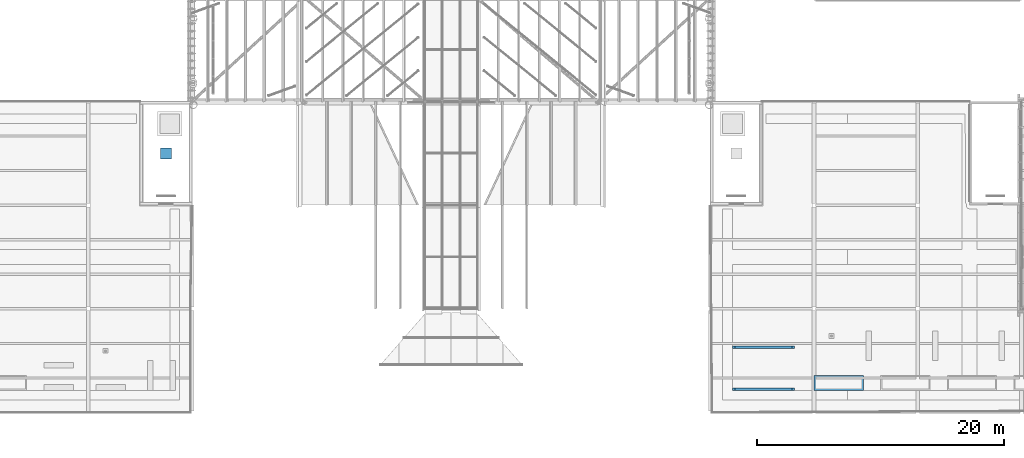
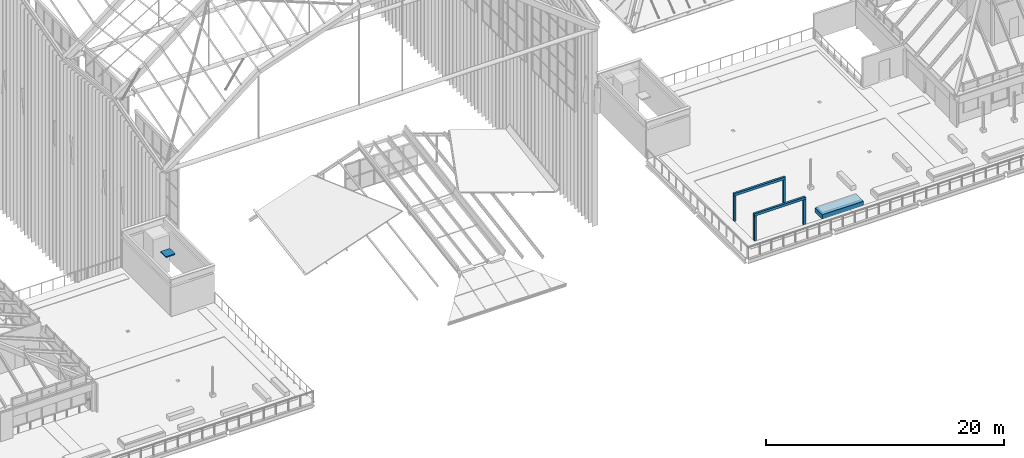
# One storey, part 84 of 126: 8 discrete accessories.
"""IFC4 building model written with IfcOpenShell, lengths in metres."""

from ifc_helpers import new_model, si_unit, direction, frame, origin, origin_2d, place, context, subcontext, project, spatial, rectangle, extrude, material, type_object, element, save


model = new_model("IFC4")

# Units and contexts
model_context = context("Model", 3, precision=1e-05, world=origin(), true_north=direction((0.0, 1.0)))
body_context = subcontext(model_context, "Body", "Model", "MODEL_VIEW")
ifc_project = project(units=[si_unit("LENGTHUNIT", "METRE"), si_unit("AREAUNIT", "SQUARE_METRE"), si_unit("VOLUMEUNIT", "CUBIC_METRE"), si_unit("PLANEANGLEUNIT", "RADIAN"), si_unit("MASSUNIT", "GRAM", prefix="KILO")], contexts=[model_context])

# Site, building, storey
site_placement = place(None, origin())
site = spatial("IfcSite", under=ifc_project, at=site_placement, CompositionType="ELEMENT")
building_placement = place(site_placement, origin())
building = spatial("IfcBuilding", under=site, at=building_placement, Name="Sava Quay Ferry Terminal", CompositionType="ELEMENT")
storey_placement = place(building_placement, frame((0.0, 0.0, 15.0)))
storey = spatial("IfcBuildingStorey", under=building, at=storey_placement, Name="L03", CompositionType="ELEMENT", Elevation=15.0)

# Discrete accessories
ifc_material_1 = material(Name="Glued laminated timber GL28h", Category="wood")
discrete_accessory_type_1 = type_object("IfcDiscreteAccessoryType", Name="Pergola beam 200x250", PredefinedType="NOTDEFINED", material=ifc_material_1)
for number, where, z_axis, x_axis, name in (
    (1, (88.300048828125, 27.10009765625, 2.60009765625), (0.0, 0.0, 1.0), (1.0, 0.0, 0.0), "Pergola beam"),
    (2, (88.300048828125, 30.5, 2.60009765625), (0.0, 0.0, 1.0), (1.0, 0.0, 0.0), "Pergola beam"),
):
    element("IfcDiscreteAccessory", number, at=place(storey_placement, frame(where, z_axis=z_axis, x_axis=x_axis)), inside=storey, type_object=discrete_accessory_type_1, Name=name, PredefinedType="NOTDEFINED", context=body_context, shape_type="SweptSolid", body=[
        extrude(rectangle(XDim=5.0, YDim=0.199951171875, at=origin_2d()), origin(), (0.0, 0.0, 1.0), 0.25),
    ])
ifc_material_2 = material(Name="Glued laminated timber GL28h", Category="wood")
discrete_accessory_type_2 = type_object("IfcDiscreteAccessoryType", Name="Pergola post 200", PredefinedType="NOTDEFINED", material=ifc_material_2)
for number, where, z_axis, x_axis, name in (
    (3, (85.89990234375, 27.10009765625, 0.0), (0.0, 0.0, 1.0), (1.0, 0.0, 0.0), "Pergola post"),
    (4, (90.699951171875, 27.10009765625, 0.0), (0.0, 0.0, 1.0), (1.0, 0.0, 0.0), "Pergola post"),
    (5, (85.89990234375, 30.5, 0.0), (0.0, 0.0, 1.0), (1.0, 0.0, 0.0), "Pergola post"),
    (6, (90.699951171875, 30.5, 0.0), (0.0, 0.0, 1.0), (1.0, 0.0, 0.0), "Pergola post"),
):
    element("IfcDiscreteAccessory", number, at=place(storey_placement, frame(where, z_axis=z_axis, x_axis=x_axis)), inside=storey, type_object=discrete_accessory_type_2, Name=name, PredefinedType="NOTDEFINED", context=body_context, shape_type="SweptSolid", body=[
        extrude(rectangle(XDim=0.199951171875, YDim=0.199951171875, at=origin_2d()), origin(), (0.0, 0.0, 1.0), 2.60009765625),
    ])
ifc_material_3 = material(Name="Galvanised steel S355J2", Category="steel")
discrete_accessory_type_3 = type_object("IfcDiscreteAccessoryType", Name="Roof access hatch 900x900", PredefinedType="NOTDEFINED", material=ifc_material_3)
discrete_accessory_1_placement = place(storey_placement, frame((39.89990234375, 46.199951171875, 3.199951171875), z_axis=(0.0, 0.0, 1.0), x_axis=(1.0, 0.0, 0.0)))
element("IfcDiscreteAccessory", 7, at=discrete_accessory_1_placement, inside=storey, type_object=discrete_accessory_type_3, Name="Roof access hatch ST-W2", PredefinedType="NOTDEFINED", context=body_context, shape_type="SweptSolid", body=[
    extrude(rectangle(XDim=0.89990234375, YDim=0.89990234375, at=origin_2d()), origin(), (0.0, 0.0, 1.0), 0.1201171875),
])
ifc_material_4 = material(Name="Precast concrete C30/37", Category="concrete")
discrete_accessory_type_4 = type_object("IfcDiscreteAccessoryType", Name="Roof planter 4000x1200", PredefinedType="NOTDEFINED", material=ifc_material_4)
discrete_accessory_2_placement = place(storey_placement, frame((94.39990234375, 27.60009765625, 0.0), z_axis=(0.0, 0.0, 1.0), x_axis=(1.0, 0.0, 0.0)))
element("IfcDiscreteAccessory", 8, at=discrete_accessory_2_placement, inside=storey, type_object=discrete_accessory_type_4, Name="Roof planter", PredefinedType="NOTDEFINED", context=body_context, shape_type="SweptSolid", body=[
    extrude(rectangle(XDim=4.0, YDim=1.199951171875, at=origin_2d()), origin(), (0.0, 0.0, 1.0), 0.449951171875),
])

save(model, "model.ifc")
